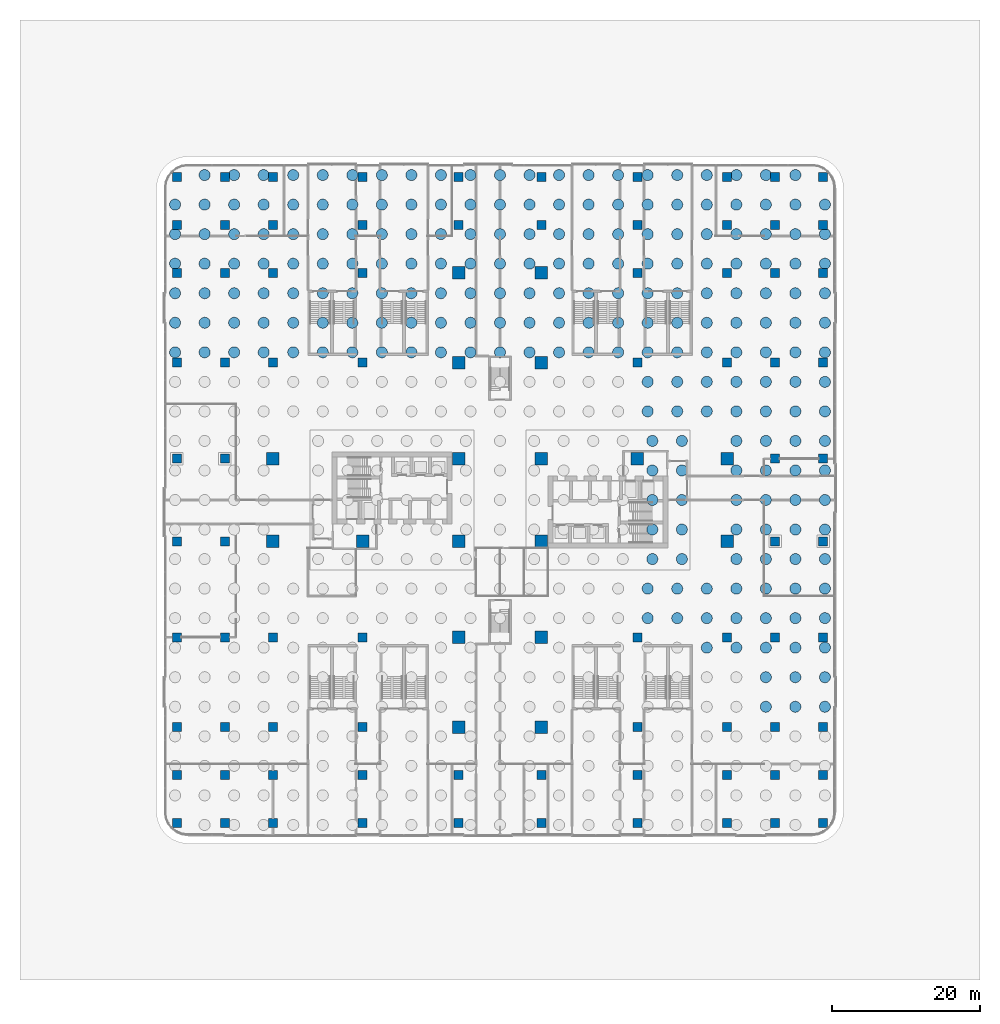
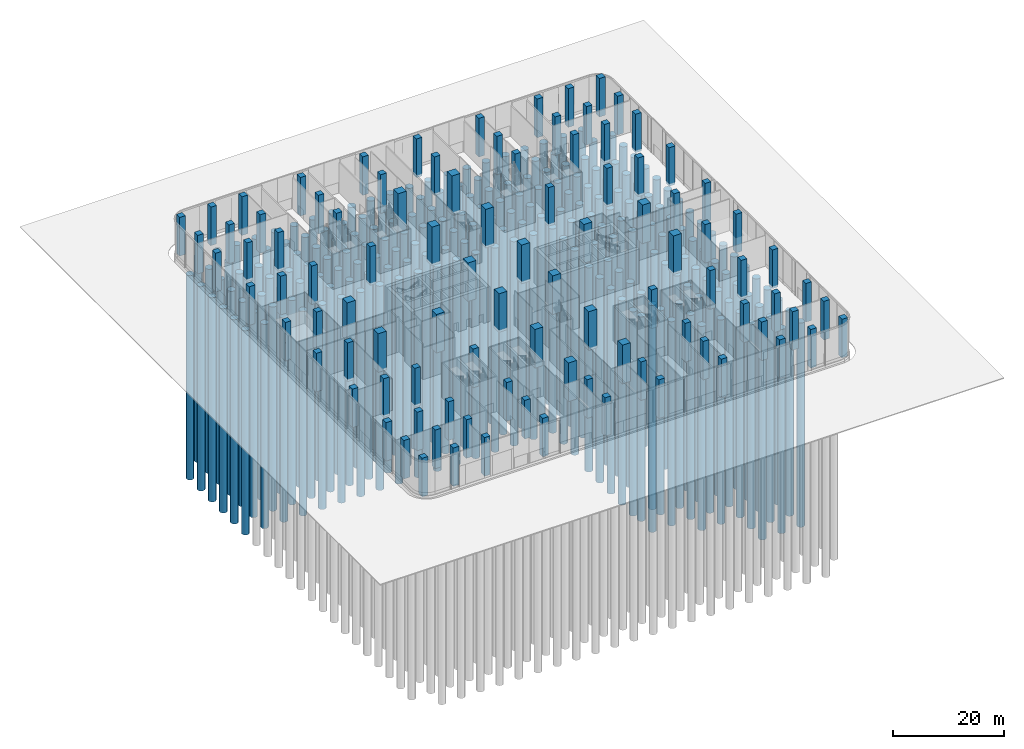
# One storey, part 2 of 27: 228 piles, 98 columns.
"""IFC4 building model written with IfcOpenShell, lengths in metres."""

from ifc_helpers import new_model, si_unit, direction, frame, origin, origin_2d, place, context, subcontext, project, spatial, rectangle, circle, extrude, source, transform, mapped, material, material_profile, profile_set, type_object, element, save


model = new_model("IFC4")

# Units and contexts
model_context = context("Model", 3, precision=1e-05, world=origin(), true_north=direction((0.0, 1.0)))
body_context = subcontext(model_context, "Body", "Model", "MODEL_VIEW")
ifc_project = project(units=[si_unit("LENGTHUNIT", "METRE"), si_unit("AREAUNIT", "SQUARE_METRE"), si_unit("VOLUMEUNIT", "CUBIC_METRE"), si_unit("PLANEANGLEUNIT", "RADIAN"), si_unit("MASSUNIT", "GRAM", prefix="KILO")], contexts=[model_context])

# Site, building, storey
site_placement = place(None, origin())
site = spatial("IfcSite", under=ifc_project, at=site_placement, CompositionType="ELEMENT")
building_placement = place(site_placement, origin())
building = spatial("IfcBuilding", under=site, at=building_placement, Name="Trellis Farm Tower", CompositionType="ELEMENT")
storey_placement = place(building_placement, origin())
storey = spatial("IfcBuildingStorey", under=building, at=storey_placement, Name="L00", CompositionType="ELEMENT", Elevation=0.0)

# Piles
ifc_material_1 = material(Name="Concrete C40/50", Category="concrete")
ifc_material_profile_1 = material_profile(ifc_material_1, circle(Radius=0.75, at=origin_2d()), Name="Bored pile 1500")
ifc_profile_set_1 = profile_set([ifc_material_profile_1], Name="Concrete C40/50")
pile_type = type_object("IfcPileType", Name="Bored pile 1500", PredefinedType="BORED", material=ifc_profile_set_1)
shared_shape_1 = source(origin(), body_context, "Body", "SweptSolid", [
    extrude(circle(Radius=0.75, at=origin_2d()), origin(), (0.0, 0.0, 1.0), 45.0),
])
for number, where, z_axis, x_axis, name in (
    (1, (20.625, -8.0, -4.0), (0.0, 0.0, -1.0), (1.0, 0.0, 0.0), "Bored pile"),
    (2, (20.625, -4.0, -4.0), (0.0, 0.0, -1.0), (1.0, 0.0, 0.0), "Bored pile"),
    (3, (20.625, 0.0, -4.0), (0.0, 0.0, -1.0), (1.0, 0.0, 0.0), "Bored pile"),
    (4, (20.625, 4.0, -4.0), (0.0, 0.0, -1.0), (1.0, 0.0, 0.0), "Bored pile"),
    (5, (20.625, 8.0, -4.0), (0.0, 0.0, -1.0), (1.0, 0.0, 0.0), "Bored pile"),
    (6, (24.625, -8.0, -4.0), (0.0, 0.0, -1.0), (1.0, 0.0, 0.0), "Bored pile"),
    (7, (24.625, -4.0, -4.0), (0.0, 0.0, -1.0), (1.0, 0.0, 0.0), "Bored pile"),
    (8, (24.625, 0.0, -4.0), (0.0, 0.0, -1.0), (1.0, 0.0, 0.0), "Bored pile"),
    (9, (24.625, 4.0, -4.0), (0.0, 0.0, -1.0), (1.0, 0.0, 0.0), "Bored pile"),
    (10, (24.625, 8.0, -4.0), (0.0, 0.0, -1.0), (1.0, 0.0, 0.0), "Bored pile"),
    (11, (-44.0, 20.0, -2.5), (0.0, 0.0, -1.0), (1.0, 0.0, 0.0), "Bored pile"),
    (12, (-44.0, 24.0, -2.5), (0.0, 0.0, -1.0), (1.0, 0.0, 0.0), "Bored pile"),
    (13, (-44.0, 28.0, -2.5), (0.0, 0.0, -1.0), (1.0, 0.0, 0.0), "Bored pile"),
    (14, (-44.0, 32.0, -2.5), (0.0, 0.0, -1.0), (1.0, 0.0, 0.0), "Bored pile"),
    (15, (-44.0, 36.0, -2.5), (0.0, 0.0, -1.0), (1.0, 0.0, 0.0), "Bored pile"),
    (16, (-44.0, 40.0, -2.5), (0.0, 0.0, -1.0), (1.0, 0.0, 0.0), "Bored pile"),
    (17, (-40.0, 20.0, -2.5), (0.0, 0.0, -1.0), (1.0, 0.0, 0.0), "Bored pile"),
    (18, (-40.0, 24.0, -2.5), (0.0, 0.0, -1.0), (1.0, 0.0, 0.0), "Bored pile"),
    (19, (-40.0, 28.0, -2.5), (0.0, 0.0, -1.0), (1.0, 0.0, 0.0), "Bored pile"),
    (20, (-40.0, 32.0, -2.5), (0.0, 0.0, -1.0), (1.0, 0.0, 0.0), "Bored pile"),
    (21, (-40.0, 36.0, -2.5), (0.0, 0.0, -1.0), (1.0, 0.0, 0.0), "Bored pile"),
    (22, (-40.0, 40.0, -2.5), (0.0, 0.0, -1.0), (1.0, 0.0, 0.0), "Bored pile"),
    (23, (-40.0, 44.0, -2.5), (0.0, 0.0, -1.0), (1.0, 0.0, 0.0), "Bored pile"),
    (24, (-36.0, 20.0, -2.5), (0.0, 0.0, -1.0), (1.0, 0.0, 0.0), "Bored pile"),
    (25, (-36.0, 24.0, -2.5), (0.0, 0.0, -1.0), (1.0, 0.0, 0.0), "Bored pile"),
    (26, (-36.0, 28.0, -2.5), (0.0, 0.0, -1.0), (1.0, 0.0, 0.0), "Bored pile"),
    (27, (-36.0, 32.0, -2.5), (0.0, 0.0, -1.0), (1.0, 0.0, 0.0), "Bored pile"),
    (28, (-36.0, 36.0, -2.5), (0.0, 0.0, -1.0), (1.0, 0.0, 0.0), "Bored pile"),
    (29, (-36.0, 40.0, -2.5), (0.0, 0.0, -1.0), (1.0, 0.0, 0.0), "Bored pile"),
    (30, (-36.0, 44.0, -2.5), (0.0, 0.0, -1.0), (1.0, 0.0, 0.0), "Bored pile"),
    (31, (-32.0, 20.0, -2.5), (0.0, 0.0, -1.0), (1.0, 0.0, 0.0), "Bored pile"),
    (32, (-32.0, 24.0, -2.5), (0.0, 0.0, -1.0), (1.0, 0.0, 0.0), "Bored pile"),
    (33, (-32.0, 28.0, -2.5), (0.0, 0.0, -1.0), (1.0, 0.0, 0.0), "Bored pile"),
    (34, (-32.0, 32.0, -2.5), (0.0, 0.0, -1.0), (1.0, 0.0, 0.0), "Bored pile"),
    (35, (-32.0, 36.0, -2.5), (0.0, 0.0, -1.0), (1.0, 0.0, 0.0), "Bored pile"),
    (36, (-32.0, 40.0, -2.5), (0.0, 0.0, -1.0), (1.0, 0.0, 0.0), "Bored pile"),
    (37, (-32.0, 44.0, -2.5), (0.0, 0.0, -1.0), (1.0, 0.0, 0.0), "Bored pile"),
    (38, (-28.0, 20.0, -2.5), (0.0, 0.0, -1.0), (1.0, 0.0, 0.0), "Bored pile"),
    (39, (-28.0, 24.0, -2.5), (0.0, 0.0, -1.0), (1.0, 0.0, 0.0), "Bored pile"),
    (40, (-28.0, 28.0, -2.5), (0.0, 0.0, -1.0), (1.0, 0.0, 0.0), "Bored pile"),
    (41, (-28.0, 32.0, -2.5), (0.0, 0.0, -1.0), (1.0, 0.0, 0.0), "Bored pile"),
    (42, (-28.0, 36.0, -2.5), (0.0, 0.0, -1.0), (1.0, 0.0, 0.0), "Bored pile"),
    (43, (-28.0, 40.0, -2.5), (0.0, 0.0, -1.0), (1.0, 0.0, 0.0), "Bored pile"),
    (44, (-28.0, 44.0, -2.5), (0.0, 0.0, -1.0), (1.0, 0.0, 0.0), "Bored pile"),
    (45, (-24.0, 20.0, -2.5), (0.0, 0.0, -1.0), (1.0, 0.0, 0.0), "Bored pile"),
    (46, (-24.0, 24.0, -2.5), (0.0, 0.0, -1.0), (1.0, 0.0, 0.0), "Bored pile"),
    (47, (-24.0, 28.0, -2.5), (0.0, 0.0, -1.0), (1.0, 0.0, 0.0), "Bored pile"),
    (48, (-24.0, 32.0, -2.5), (0.0, 0.0, -1.0), (1.0, 0.0, 0.0), "Bored pile"),
    (49, (-24.0, 36.0, -2.5), (0.0, 0.0, -1.0), (1.0, 0.0, 0.0), "Bored pile"),
    (50, (-24.0, 40.0, -2.5), (0.0, 0.0, -1.0), (1.0, 0.0, 0.0), "Bored pile"),
    (51, (-24.0, 44.0, -2.5), (0.0, 0.0, -1.0), (1.0, 0.0, 0.0), "Bored pile"),
    (52, (-20.0, 20.0, -2.5), (0.0, 0.0, -1.0), (1.0, 0.0, 0.0), "Bored pile"),
    (53, (-20.0, 24.0, -2.5), (0.0, 0.0, -1.0), (1.0, 0.0, 0.0), "Bored pile"),
    (54, (-20.0, 28.0, -2.5), (0.0, 0.0, -1.0), (1.0, 0.0, 0.0), "Bored pile"),
    (55, (-20.0, 32.0, -2.5), (0.0, 0.0, -1.0), (1.0, 0.0, 0.0), "Bored pile"),
    (56, (-20.0, 36.0, -2.5), (0.0, 0.0, -1.0), (1.0, 0.0, 0.0), "Bored pile"),
    (57, (-20.0, 40.0, -2.5), (0.0, 0.0, -1.0), (1.0, 0.0, 0.0), "Bored pile"),
    (58, (-20.0, 44.0, -2.5), (0.0, 0.0, -1.0), (1.0, 0.0, 0.0), "Bored pile"),
    (59, (-16.0, 20.0, -2.5), (0.0, 0.0, -1.0), (1.0, 0.0, 0.0), "Bored pile"),
    (60, (-16.0, 24.0, -2.5), (0.0, 0.0, -1.0), (1.0, 0.0, 0.0), "Bored pile"),
    (61, (-16.0, 28.0, -2.5), (0.0, 0.0, -1.0), (1.0, 0.0, 0.0), "Bored pile"),
    (62, (-16.0, 32.0, -2.5), (0.0, 0.0, -1.0), (1.0, 0.0, 0.0), "Bored pile"),
    (63, (-16.0, 36.0, -2.5), (0.0, 0.0, -1.0), (1.0, 0.0, 0.0), "Bored pile"),
    (64, (-16.0, 40.0, -2.5), (0.0, 0.0, -1.0), (1.0, 0.0, 0.0), "Bored pile"),
    (65, (-16.0, 44.0, -2.5), (0.0, 0.0, -1.0), (1.0, 0.0, 0.0), "Bored pile"),
    (66, (-12.0, 20.0, -2.5), (0.0, 0.0, -1.0), (1.0, 0.0, 0.0), "Bored pile"),
    (67, (-12.0, 24.0, -2.5), (0.0, 0.0, -1.0), (1.0, 0.0, 0.0), "Bored pile"),
    (68, (-12.0, 28.0, -2.5), (0.0, 0.0, -1.0), (1.0, 0.0, 0.0), "Bored pile"),
    (69, (-12.0, 32.0, -2.5), (0.0, 0.0, -1.0), (1.0, 0.0, 0.0), "Bored pile"),
    (70, (-12.0, 36.0, -2.5), (0.0, 0.0, -1.0), (1.0, 0.0, 0.0), "Bored pile"),
    (71, (-12.0, 40.0, -2.5), (0.0, 0.0, -1.0), (1.0, 0.0, 0.0), "Bored pile"),
    (72, (-12.0, 44.0, -2.5), (0.0, 0.0, -1.0), (1.0, 0.0, 0.0), "Bored pile"),
    (73, (-8.0, 20.0, -2.5), (0.0, 0.0, -1.0), (1.0, 0.0, 0.0), "Bored pile"),
    (74, (-8.0, 24.0, -2.5), (0.0, 0.0, -1.0), (1.0, 0.0, 0.0), "Bored pile"),
    (75, (-8.0, 28.0, -2.5), (0.0, 0.0, -1.0), (1.0, 0.0, 0.0), "Bored pile"),
    (76, (-8.0, 32.0, -2.5), (0.0, 0.0, -1.0), (1.0, 0.0, 0.0), "Bored pile"),
    (77, (-8.0, 36.0, -2.5), (0.0, 0.0, -1.0), (1.0, 0.0, 0.0), "Bored pile"),
    (78, (-8.0, 40.0, -2.5), (0.0, 0.0, -1.0), (1.0, 0.0, 0.0), "Bored pile"),
    (79, (-8.0, 44.0, -2.5), (0.0, 0.0, -1.0), (1.0, 0.0, 0.0), "Bored pile"),
    (80, (-4.0, 20.0, -2.5), (0.0, 0.0, -1.0), (1.0, 0.0, 0.0), "Bored pile"),
    (81, (-4.0, 24.0, -2.5), (0.0, 0.0, -1.0), (1.0, 0.0, 0.0), "Bored pile"),
    (82, (-4.0, 28.0, -2.5), (0.0, 0.0, -1.0), (1.0, 0.0, 0.0), "Bored pile"),
    (83, (-4.0, 32.0, -2.5), (0.0, 0.0, -1.0), (1.0, 0.0, 0.0), "Bored pile"),
    (84, (-4.0, 36.0, -2.5), (0.0, 0.0, -1.0), (1.0, 0.0, 0.0), "Bored pile"),
    (85, (-4.0, 40.0, -2.5), (0.0, 0.0, -1.0), (1.0, 0.0, 0.0), "Bored pile"),
    (86, (-4.0, 44.0, -2.5), (0.0, 0.0, -1.0), (1.0, 0.0, 0.0), "Bored pile"),
    (87, (0.0, 20.0, -2.5), (0.0, 0.0, -1.0), (1.0, 0.0, 0.0), "Bored pile"),
    (88, (0.0, 24.0, -2.5), (0.0, 0.0, -1.0), (1.0, 0.0, 0.0), "Bored pile"),
    (89, (0.0, 28.0, -2.5), (0.0, 0.0, -1.0), (1.0, 0.0, 0.0), "Bored pile"),
    (90, (0.0, 32.0, -2.5), (0.0, 0.0, -1.0), (1.0, 0.0, 0.0), "Bored pile"),
    (91, (0.0, 36.0, -2.5), (0.0, 0.0, -1.0), (1.0, 0.0, 0.0), "Bored pile"),
    (92, (0.0, 40.0, -2.5), (0.0, 0.0, -1.0), (1.0, 0.0, 0.0), "Bored pile"),
    (93, (0.0, 44.0, -2.5), (0.0, 0.0, -1.0), (1.0, 0.0, 0.0), "Bored pile"),
    (94, (4.0, 20.0, -2.5), (0.0, 0.0, -1.0), (1.0, 0.0, 0.0), "Bored pile"),
    (95, (4.0, 24.0, -2.5), (0.0, 0.0, -1.0), (1.0, 0.0, 0.0), "Bored pile"),
    (96, (4.0, 28.0, -2.5), (0.0, 0.0, -1.0), (1.0, 0.0, 0.0), "Bored pile"),
    (97, (4.0, 32.0, -2.5), (0.0, 0.0, -1.0), (1.0, 0.0, 0.0), "Bored pile"),
    (98, (4.0, 36.0, -2.5), (0.0, 0.0, -1.0), (1.0, 0.0, 0.0), "Bored pile"),
    (99, (4.0, 40.0, -2.5), (0.0, 0.0, -1.0), (1.0, 0.0, 0.0), "Bored pile"),
    (100, (4.0, 44.0, -2.5), (0.0, 0.0, -1.0), (1.0, 0.0, 0.0), "Bored pile"),
    (101, (8.0, 20.0, -2.5), (0.0, 0.0, -1.0), (1.0, 0.0, 0.0), "Bored pile"),
    (102, (8.0, 24.0, -2.5), (0.0, 0.0, -1.0), (1.0, 0.0, 0.0), "Bored pile"),
    (103, (8.0, 28.0, -2.5), (0.0, 0.0, -1.0), (1.0, 0.0, 0.0), "Bored pile"),
    (104, (8.0, 32.0, -2.5), (0.0, 0.0, -1.0), (1.0, 0.0, 0.0), "Bored pile"),
    (105, (8.0, 36.0, -2.5), (0.0, 0.0, -1.0), (1.0, 0.0, 0.0), "Bored pile"),
    (106, (8.0, 40.0, -2.5), (0.0, 0.0, -1.0), (1.0, 0.0, 0.0), "Bored pile"),
    (107, (8.0, 44.0, -2.5), (0.0, 0.0, -1.0), (1.0, 0.0, 0.0), "Bored pile"),
    (108, (12.0, 20.0, -2.5), (0.0, 0.0, -1.0), (1.0, 0.0, 0.0), "Bored pile"),
    (109, (12.0, 24.0, -2.5), (0.0, 0.0, -1.0), (1.0, 0.0, 0.0), "Bored pile"),
    (110, (12.0, 28.0, -2.5), (0.0, 0.0, -1.0), (1.0, 0.0, 0.0), "Bored pile"),
    (111, (12.0, 32.0, -2.5), (0.0, 0.0, -1.0), (1.0, 0.0, 0.0), "Bored pile"),
    (112, (12.0, 36.0, -2.5), (0.0, 0.0, -1.0), (1.0, 0.0, 0.0), "Bored pile"),
    (113, (12.0, 40.0, -2.5), (0.0, 0.0, -1.0), (1.0, 0.0, 0.0), "Bored pile"),
    (114, (12.0, 44.0, -2.5), (0.0, 0.0, -1.0), (1.0, 0.0, 0.0), "Bored pile"),
    (115, (16.0, 20.0, -2.5), (0.0, 0.0, -1.0), (1.0, 0.0, 0.0), "Bored pile"),
    (116, (16.0, 24.0, -2.5), (0.0, 0.0, -1.0), (1.0, 0.0, 0.0), "Bored pile"),
    (117, (16.0, 28.0, -2.5), (0.0, 0.0, -1.0), (1.0, 0.0, 0.0), "Bored pile"),
    (118, (16.0, 32.0, -2.5), (0.0, 0.0, -1.0), (1.0, 0.0, 0.0), "Bored pile"),
    (119, (16.0, 36.0, -2.5), (0.0, 0.0, -1.0), (1.0, 0.0, 0.0), "Bored pile"),
    (120, (16.0, 40.0, -2.5), (0.0, 0.0, -1.0), (1.0, 0.0, 0.0), "Bored pile"),
    (121, (16.0, 44.0, -2.5), (0.0, 0.0, -1.0), (1.0, 0.0, 0.0), "Bored pile"),
    (122, (20.0, -16.0, -2.5), (0.0, 0.0, -1.0), (1.0, 0.0, 0.0), "Bored pile"),
    (123, (20.0, -12.0, -2.5), (0.0, 0.0, -1.0), (1.0, 0.0, 0.0), "Bored pile"),
    (124, (20.0, 12.0, -2.5), (0.0, 0.0, -1.0), (1.0, 0.0, 0.0), "Bored pile"),
    (125, (20.0, 16.0, -2.5), (0.0, 0.0, -1.0), (1.0, 0.0, 0.0), "Bored pile"),
    (126, (20.0, 20.0, -2.5), (0.0, 0.0, -1.0), (1.0, 0.0, 0.0), "Bored pile"),
    (127, (20.0, 24.0, -2.5), (0.0, 0.0, -1.0), (1.0, 0.0, 0.0), "Bored pile"),
    (128, (20.0, 28.0, -2.5), (0.0, 0.0, -1.0), (1.0, 0.0, 0.0), "Bored pile"),
    (129, (20.0, 32.0, -2.5), (0.0, 0.0, -1.0), (1.0, 0.0, 0.0), "Bored pile"),
    (130, (20.0, 36.0, -2.5), (0.0, 0.0, -1.0), (1.0, 0.0, 0.0), "Bored pile"),
    (131, (20.0, 40.0, -2.5), (0.0, 0.0, -1.0), (1.0, 0.0, 0.0), "Bored pile"),
    (132, (20.0, 44.0, -2.5), (0.0, 0.0, -1.0), (1.0, 0.0, 0.0), "Bored pile"),
    (133, (24.0, -16.0, -2.5), (0.0, 0.0, -1.0), (1.0, 0.0, 0.0), "Bored pile"),
    (134, (24.0, -12.0, -2.5), (0.0, 0.0, -1.0), (1.0, 0.0, 0.0), "Bored pile"),
    (135, (24.0, 12.0, -2.5), (0.0, 0.0, -1.0), (1.0, 0.0, 0.0), "Bored pile"),
    (136, (24.0, 16.0, -2.5), (0.0, 0.0, -1.0), (1.0, 0.0, 0.0), "Bored pile"),
    (137, (24.0, 20.0, -2.5), (0.0, 0.0, -1.0), (1.0, 0.0, 0.0), "Bored pile"),
    (138, (24.0, 24.0, -2.5), (0.0, 0.0, -1.0), (1.0, 0.0, 0.0), "Bored pile"),
    (139, (24.0, 28.0, -2.5), (0.0, 0.0, -1.0), (1.0, 0.0, 0.0), "Bored pile"),
    (140, (24.0, 32.0, -2.5), (0.0, 0.0, -1.0), (1.0, 0.0, 0.0), "Bored pile"),
    (141, (24.0, 36.0, -2.5), (0.0, 0.0, -1.0), (1.0, 0.0, 0.0), "Bored pile"),
    (142, (24.0, 40.0, -2.5), (0.0, 0.0, -1.0), (1.0, 0.0, 0.0), "Bored pile"),
    (143, (24.0, 44.0, -2.5), (0.0, 0.0, -1.0), (1.0, 0.0, 0.0), "Bored pile"),
    (144, (28.0, -20.0, -2.5), (0.0, 0.0, -1.0), (1.0, 0.0, 0.0), "Bored pile"),
    (145, (28.0, -16.0, -2.5), (0.0, 0.0, -1.0), (1.0, 0.0, 0.0), "Bored pile"),
    (146, (28.0, -12.0, -2.5), (0.0, 0.0, -1.0), (1.0, 0.0, 0.0), "Bored pile"),
    (147, (28.0, 12.0, -2.5), (0.0, 0.0, -1.0), (1.0, 0.0, 0.0), "Bored pile"),
    (148, (28.0, 16.0, -2.5), (0.0, 0.0, -1.0), (1.0, 0.0, 0.0), "Bored pile"),
    (149, (28.0, 20.0, -2.5), (0.0, 0.0, -1.0), (1.0, 0.0, 0.0), "Bored pile"),
    (150, (28.0, 24.0, -2.5), (0.0, 0.0, -1.0), (1.0, 0.0, 0.0), "Bored pile"),
    (151, (28.0, 28.0, -2.5), (0.0, 0.0, -1.0), (1.0, 0.0, 0.0), "Bored pile"),
    (152, (28.0, 32.0, -2.5), (0.0, 0.0, -1.0), (1.0, 0.0, 0.0), "Bored pile"),
    (153, (28.0, 36.0, -2.5), (0.0, 0.0, -1.0), (1.0, 0.0, 0.0), "Bored pile"),
    (154, (28.0, 40.0, -2.5), (0.0, 0.0, -1.0), (1.0, 0.0, 0.0), "Bored pile"),
    (155, (28.0, 44.0, -2.5), (0.0, 0.0, -1.0), (1.0, 0.0, 0.0), "Bored pile"),
    (156, (32.0, -20.0, -2.5), (0.0, 0.0, -1.0), (1.0, 0.0, 0.0), "Bored pile"),
    (157, (32.0, -16.0, -2.5), (0.0, 0.0, -1.0), (1.0, 0.0, 0.0), "Bored pile"),
    (158, (32.0, -12.0, -2.5), (0.0, 0.0, -1.0), (1.0, 0.0, 0.0), "Bored pile"),
    (159, (32.0, -8.0, -2.5), (0.0, 0.0, -1.0), (1.0, 0.0, 0.0), "Bored pile"),
    (160, (32.0, -4.0, -2.5), (0.0, 0.0, -1.0), (1.0, 0.0, 0.0), "Bored pile"),
    (161, (32.0, 0.0, -2.5), (0.0, 0.0, -1.0), (1.0, 0.0, 0.0), "Bored pile"),
    (162, (32.0, 4.0, -2.5), (0.0, 0.0, -1.0), (1.0, 0.0, 0.0), "Bored pile"),
    (163, (32.0, 8.0, -2.5), (0.0, 0.0, -1.0), (1.0, 0.0, 0.0), "Bored pile"),
    (164, (32.0, 12.0, -2.5), (0.0, 0.0, -1.0), (1.0, 0.0, 0.0), "Bored pile"),
    (165, (32.0, 16.0, -2.5), (0.0, 0.0, -1.0), (1.0, 0.0, 0.0), "Bored pile"),
    (166, (32.0, 20.0, -2.5), (0.0, 0.0, -1.0), (1.0, 0.0, 0.0), "Bored pile"),
    (167, (32.0, 24.0, -2.5), (0.0, 0.0, -1.0), (1.0, 0.0, 0.0), "Bored pile"),
    (168, (32.0, 28.0, -2.5), (0.0, 0.0, -1.0), (1.0, 0.0, 0.0), "Bored pile"),
    (169, (32.0, 32.0, -2.5), (0.0, 0.0, -1.0), (1.0, 0.0, 0.0), "Bored pile"),
    (170, (32.0, 36.0, -2.5), (0.0, 0.0, -1.0), (1.0, 0.0, 0.0), "Bored pile"),
    (171, (32.0, 40.0, -2.5), (0.0, 0.0, -1.0), (1.0, 0.0, 0.0), "Bored pile"),
    (172, (32.0, 44.0, -2.5), (0.0, 0.0, -1.0), (1.0, 0.0, 0.0), "Bored pile"),
    (173, (36.0, -28.0, -2.5), (0.0, 0.0, -1.0), (1.0, 0.0, 0.0), "Bored pile"),
    (174, (36.0, -24.0, -2.5), (0.0, 0.0, -1.0), (1.0, 0.0, 0.0), "Bored pile"),
    (175, (36.0, -20.0, -2.5), (0.0, 0.0, -1.0), (1.0, 0.0, 0.0), "Bored pile"),
    (176, (36.0, -16.0, -2.5), (0.0, 0.0, -1.0), (1.0, 0.0, 0.0), "Bored pile"),
    (177, (36.0, -12.0, -2.5), (0.0, 0.0, -1.0), (1.0, 0.0, 0.0), "Bored pile"),
    (178, (36.0, -8.0, -2.5), (0.0, 0.0, -1.0), (1.0, 0.0, 0.0), "Bored pile"),
    (179, (36.0, -4.0, -2.5), (0.0, 0.0, -1.0), (1.0, 0.0, 0.0), "Bored pile"),
    (180, (36.0, 0.0, -2.5), (0.0, 0.0, -1.0), (1.0, 0.0, 0.0), "Bored pile"),
    (181, (36.0, 4.0, -2.5), (0.0, 0.0, -1.0), (1.0, 0.0, 0.0), "Bored pile"),
    (182, (36.0, 8.0, -2.5), (0.0, 0.0, -1.0), (1.0, 0.0, 0.0), "Bored pile"),
    (183, (36.0, 12.0, -2.5), (0.0, 0.0, -1.0), (1.0, 0.0, 0.0), "Bored pile"),
    (184, (36.0, 16.0, -2.5), (0.0, 0.0, -1.0), (1.0, 0.0, 0.0), "Bored pile"),
    (185, (36.0, 20.0, -2.5), (0.0, 0.0, -1.0), (1.0, 0.0, 0.0), "Bored pile"),
    (186, (36.0, 24.0, -2.5), (0.0, 0.0, -1.0), (1.0, 0.0, 0.0), "Bored pile"),
    (187, (36.0, 28.0, -2.5), (0.0, 0.0, -1.0), (1.0, 0.0, 0.0), "Bored pile"),
    (188, (36.0, 32.0, -2.5), (0.0, 0.0, -1.0), (1.0, 0.0, 0.0), "Bored pile"),
    (189, (36.0, 36.0, -2.5), (0.0, 0.0, -1.0), (1.0, 0.0, 0.0), "Bored pile"),
    (190, (36.0, 40.0, -2.5), (0.0, 0.0, -1.0), (1.0, 0.0, 0.0), "Bored pile"),
    (191, (36.0, 44.0, -2.5), (0.0, 0.0, -1.0), (1.0, 0.0, 0.0), "Bored pile"),
    (192, (40.0, -28.0, -2.5), (0.0, 0.0, -1.0), (1.0, 0.0, 0.0), "Bored pile"),
    (193, (40.0, -24.0, -2.5), (0.0, 0.0, -1.0), (1.0, 0.0, 0.0), "Bored pile"),
    (194, (40.0, -20.0, -2.5), (0.0, 0.0, -1.0), (1.0, 0.0, 0.0), "Bored pile"),
    (195, (40.0, -16.0, -2.5), (0.0, 0.0, -1.0), (1.0, 0.0, 0.0), "Bored pile"),
    (196, (40.0, -12.0, -2.5), (0.0, 0.0, -1.0), (1.0, 0.0, 0.0), "Bored pile"),
    (197, (40.0, -8.0, -2.5), (0.0, 0.0, -1.0), (1.0, 0.0, 0.0), "Bored pile"),
    (198, (40.0, -4.0, -2.5), (0.0, 0.0, -1.0), (1.0, 0.0, 0.0), "Bored pile"),
    (199, (40.0, 0.0, -2.5), (0.0, 0.0, -1.0), (1.0, 0.0, 0.0), "Bored pile"),
    (200, (40.0, 4.0, -2.5), (0.0, 0.0, -1.0), (1.0, 0.0, 0.0), "Bored pile"),
    (201, (40.0, 8.0, -2.5), (0.0, 0.0, -1.0), (1.0, 0.0, 0.0), "Bored pile"),
    (202, (40.0, 12.0, -2.5), (0.0, 0.0, -1.0), (1.0, 0.0, 0.0), "Bored pile"),
    (203, (40.0, 16.0, -2.5), (0.0, 0.0, -1.0), (1.0, 0.0, 0.0), "Bored pile"),
    (204, (40.0, 20.0, -2.5), (0.0, 0.0, -1.0), (1.0, 0.0, 0.0), "Bored pile"),
    (205, (40.0, 24.0, -2.5), (0.0, 0.0, -1.0), (1.0, 0.0, 0.0), "Bored pile"),
    (206, (40.0, 28.0, -2.5), (0.0, 0.0, -1.0), (1.0, 0.0, 0.0), "Bored pile"),
    (207, (40.0, 32.0, -2.5), (0.0, 0.0, -1.0), (1.0, 0.0, 0.0), "Bored pile"),
    (208, (40.0, 36.0, -2.5), (0.0, 0.0, -1.0), (1.0, 0.0, 0.0), "Bored pile"),
    (209, (40.0, 40.0, -2.5), (0.0, 0.0, -1.0), (1.0, 0.0, 0.0), "Bored pile"),
    (210, (40.0, 44.0, -2.5), (0.0, 0.0, -1.0), (1.0, 0.0, 0.0), "Bored pile"),
    (211, (44.0, -28.0, -2.5), (0.0, 0.0, -1.0), (1.0, 0.0, 0.0), "Bored pile"),
    (212, (44.0, -24.0, -2.5), (0.0, 0.0, -1.0), (1.0, 0.0, 0.0), "Bored pile"),
    (213, (44.0, -20.0, -2.5), (0.0, 0.0, -1.0), (1.0, 0.0, 0.0), "Bored pile"),
    (214, (44.0, -16.0, -2.5), (0.0, 0.0, -1.0), (1.0, 0.0, 0.0), "Bored pile"),
    (215, (44.0, -12.0, -2.5), (0.0, 0.0, -1.0), (1.0, 0.0, 0.0), "Bored pile"),
    (216, (44.0, -8.0, -2.5), (0.0, 0.0, -1.0), (1.0, 0.0, 0.0), "Bored pile"),
    (217, (44.0, -4.0, -2.5), (0.0, 0.0, -1.0), (1.0, 0.0, 0.0), "Bored pile"),
    (218, (44.0, 0.0, -2.5), (0.0, 0.0, -1.0), (1.0, 0.0, 0.0), "Bored pile"),
    (219, (44.0, 4.0, -2.5), (0.0, 0.0, -1.0), (1.0, 0.0, 0.0), "Bored pile"),
    (220, (44.0, 8.0, -2.5), (0.0, 0.0, -1.0), (1.0, 0.0, 0.0), "Bored pile"),
    (221, (44.0, 12.0, -2.5), (0.0, 0.0, -1.0), (1.0, 0.0, 0.0), "Bored pile"),
    (222, (44.0, 16.0, -2.5), (0.0, 0.0, -1.0), (1.0, 0.0, 0.0), "Bored pile"),
    (223, (44.0, 20.0, -2.5), (0.0, 0.0, -1.0), (1.0, 0.0, 0.0), "Bored pile"),
    (224, (44.0, 24.0, -2.5), (0.0, 0.0, -1.0), (1.0, 0.0, 0.0), "Bored pile"),
    (225, (44.0, 28.0, -2.5), (0.0, 0.0, -1.0), (1.0, 0.0, 0.0), "Bored pile"),
    (226, (44.0, 32.0, -2.5), (0.0, 0.0, -1.0), (1.0, 0.0, 0.0), "Bored pile"),
    (227, (44.0, 36.0, -2.5), (0.0, 0.0, -1.0), (1.0, 0.0, 0.0), "Bored pile"),
    (228, (44.0, 40.0, -2.5), (0.0, 0.0, -1.0), (1.0, 0.0, 0.0), "Bored pile"),
):
    element("IfcPile", number, at=place(storey_placement, frame(where, z_axis=z_axis, x_axis=x_axis)), inside=storey, type_object=pile_type, Name=name, PredefinedType="BORED", context=body_context, shape_type="MappedRepresentation", body=[
        mapped(shared_shape_1, transform((0.0, 0.0, 0.0))),
    ])

# Columns
ifc_material_2 = material(Name="Concrete C80/95", Category="concrete")
ifc_material_profile_2 = material_profile(ifc_material_2, rectangle(XDim=1.699951171875, YDim=1.699951171875, at=origin_2d()), Name="RC column 1700x1700 C80/95")
ifc_profile_set_2 = profile_set([ifc_material_profile_2], Name="Concrete C80/95")
column_type_1 = type_object("IfcColumnType", Name="RC column 1700x1700 C80/95", PredefinedType="COLUMN", material=ifc_profile_set_2)
shared_shape_2 = source(origin(), body_context, "Body", "SweptSolid", [
    extrude(rectangle(XDim=1.699951171875, YDim=1.699951171875, at=origin_2d()), origin(), (0.0, 0.0, 1.0), 8.5),
])
for number, where, z_axis, x_axis, name in (
    (229, (5.60009765625, 5.60009765625, -0.5), (0.0, 0.0, 1.0), (1.0, 0.0, 0.0), "Column"),
    (230, (5.60009765625, 18.60009765625, -0.5), (0.0, 0.0, 1.0), (1.0, 0.0, 0.0), "Column"),
    (231, (5.60009765625, 30.75, -0.5), (0.0, 0.0, 1.0), (1.0, 0.0, 0.0), "Column"),
    (232, (5.60009765625, -5.60009765625, -0.5), (0.0, 0.0, 1.0), (1.0, 0.0, 0.0), "Column"),
    (233, (5.60009765625, -18.60009765625, -0.5), (0.0, 0.0, 1.0), (1.0, 0.0, 0.0), "Column"),
    (234, (5.60009765625, -30.75, -0.5), (0.0, 0.0, 1.0), (1.0, 0.0, 0.0), "Column"),
    (235, (18.60009765625, 5.60009765625, -0.5), (0.0, 0.0, 1.0), (1.0, 0.0, 0.0), "Column"),
    (236, (30.75, 5.60009765625, -0.5), (0.0, 0.0, 1.0), (1.0, 0.0, 0.0), "Column"),
    (237, (30.75, -5.60009765625, -0.5), (0.0, 0.0, 1.0), (1.0, 0.0, 0.0), "Column"),
    (238, (-5.60009765625, 5.60009765625, -0.5), (0.0, 0.0, 1.0), (1.0, 0.0, 0.0), "Column"),
    (239, (-5.60009765625, 18.60009765625, -0.5), (0.0, 0.0, 1.0), (1.0, 0.0, 0.0), "Column"),
    (240, (-5.60009765625, 30.75, -0.5), (0.0, 0.0, 1.0), (1.0, 0.0, 0.0), "Column"),
    (241, (-5.60009765625, -5.60009765625, -0.5), (0.0, 0.0, 1.0), (1.0, 0.0, 0.0), "Column"),
    (242, (-5.60009765625, -18.60009765625, -0.5), (0.0, 0.0, 1.0), (1.0, 0.0, 0.0), "Column"),
    (243, (-5.60009765625, -30.75, -0.5), (0.0, 0.0, 1.0), (1.0, 0.0, 0.0), "Column"),
    (244, (-18.60009765625, -5.60009765625, -0.5), (0.0, 0.0, 1.0), (1.0, 0.0, 0.0), "Column"),
    (245, (-30.75, 5.60009765625, -0.5), (0.0, 0.0, 1.0), (1.0, 0.0, 0.0), "Column"),
    (246, (-30.75, -5.60009765625, -0.5), (0.0, 0.0, 1.0), (1.0, 0.0, 0.0), "Column"),
):
    element("IfcColumn", number, at=place(storey_placement, frame(where, z_axis=z_axis, x_axis=x_axis)), inside=storey, type_object=column_type_1, Name=name, PredefinedType="COLUMN", context=body_context, shape_type="MappedRepresentation", body=[
        mapped(shared_shape_2, transform((0.0, 0.0, 0.0))),
    ])
ifc_material_3 = material(Name="Concrete C70/85", Category="concrete")
ifc_material_profile_3 = material_profile(ifc_material_3, rectangle(XDim=1.199951171875, YDim=1.199951171875, at=origin_2d()), Name="RC column 1200x1200 C70/85")
ifc_profile_set_3 = profile_set([ifc_material_profile_3], Name="Concrete C70/85")
column_type_2 = type_object("IfcColumnType", Name="RC column 1200x1200 C70/85", PredefinedType="COLUMN", material=ifc_profile_set_3)
shared_shape_3 = source(origin(), body_context, "Body", "SweptSolid", [
    extrude(rectangle(XDim=1.199951171875, YDim=1.199951171875, at=origin_2d()), origin(), (0.0, 0.0, 1.0), 8.5),
])
for number, where, z_axis, x_axis, name in (
    (247, (5.60009765625, 37.25, -0.5), (0.0, 0.0, 1.0), (1.0, 0.0, 0.0), "Column"),
    (248, (5.60009765625, 43.75, -0.5), (0.0, 0.0, 1.0), (1.0, 0.0, 0.0), "Column"),
    (249, (5.60009765625, -37.25, -0.5), (0.0, 0.0, 1.0), (1.0, 0.0, 0.0), "Column"),
    (250, (5.60009765625, -43.75, -0.5), (0.0, 0.0, 1.0), (1.0, 0.0, 0.0), "Column"),
    (251, (18.60009765625, 18.60009765625, -0.5), (0.0, 0.0, 1.0), (1.0, 0.0, 0.0), "Column"),
    (252, (18.60009765625, 30.75, -0.5), (0.0, 0.0, 1.0), (1.0, 0.0, 0.0), "Column"),
    (253, (18.60009765625, 37.25, -0.5), (0.0, 0.0, 1.0), (1.0, 0.0, 0.0), "Column"),
    (254, (18.60009765625, 43.75, -0.5), (0.0, 0.0, 1.0), (1.0, 0.0, 0.0), "Column"),
    (255, (18.60009765625, -18.60009765625, -0.5), (0.0, 0.0, 1.0), (1.0, 0.0, 0.0), "Column"),
    (256, (18.60009765625, -30.75, -0.5), (0.0, 0.0, 1.0), (1.0, 0.0, 0.0), "Column"),
    (257, (18.60009765625, -37.25, -0.5), (0.0, 0.0, 1.0), (1.0, 0.0, 0.0), "Column"),
    (258, (18.60009765625, -43.75, -0.5), (0.0, 0.0, 1.0), (1.0, 0.0, 0.0), "Column"),
    (259, (30.75, 18.60009765625, -0.5), (0.0, 0.0, 1.0), (1.0, 0.0, 0.0), "Column"),
    (260, (30.75, 30.75, -0.5), (0.0, 0.0, 1.0), (1.0, 0.0, 0.0), "Column"),
    (261, (30.75, 37.25, -0.5), (0.0, 0.0, 1.0), (1.0, 0.0, 0.0), "Column"),
    (262, (30.75, 43.75, -0.5), (0.0, 0.0, 1.0), (1.0, 0.0, 0.0), "Column"),
    (263, (30.75, -18.60009765625, -0.5), (0.0, 0.0, 1.0), (1.0, 0.0, 0.0), "Column"),
    (264, (30.75, -30.75, -0.5), (0.0, 0.0, 1.0), (1.0, 0.0, 0.0), "Column"),
    (265, (30.75, -37.25, -0.5), (0.0, 0.0, 1.0), (1.0, 0.0, 0.0), "Column"),
    (266, (30.75, -43.75, -0.5), (0.0, 0.0, 1.0), (1.0, 0.0, 0.0), "Column"),
    (267, (37.25, 5.60009765625, -0.5), (0.0, 0.0, 1.0), (1.0, 0.0, 0.0), "Column"),
    (268, (37.25, 18.60009765625, -0.5), (0.0, 0.0, 1.0), (1.0, 0.0, 0.0), "Column"),
    (269, (37.25, 30.75, -0.5), (0.0, 0.0, 1.0), (1.0, 0.0, 0.0), "Column"),
    (270, (37.25, 37.25, -0.5), (0.0, 0.0, 1.0), (1.0, 0.0, 0.0), "Column"),
    (271, (37.25, 43.75, -0.5), (0.0, 0.0, 1.0), (1.0, 0.0, 0.0), "Column"),
    (272, (37.25, -5.60009765625, -0.5), (0.0, 0.0, 1.0), (1.0, 0.0, 0.0), "Column"),
    (273, (37.25, -18.60009765625, -0.5), (0.0, 0.0, 1.0), (1.0, 0.0, 0.0), "Column"),
    (274, (37.25, -30.75, -0.5), (0.0, 0.0, 1.0), (1.0, 0.0, 0.0), "Column"),
    (275, (37.25, -37.25, -0.5), (0.0, 0.0, 1.0), (1.0, 0.0, 0.0), "Column"),
    (276, (37.25, -43.75, -0.5), (0.0, 0.0, 1.0), (1.0, 0.0, 0.0), "Column"),
    (277, (43.75, 5.60009765625, -0.5), (0.0, 0.0, 1.0), (1.0, 0.0, 0.0), "Column"),
    (278, (43.75, 18.60009765625, -0.5), (0.0, 0.0, 1.0), (1.0, 0.0, 0.0), "Column"),
    (279, (43.75, 30.75, -0.5), (0.0, 0.0, 1.0), (1.0, 0.0, 0.0), "Column"),
    (280, (43.75, 37.25, -0.5), (0.0, 0.0, 1.0), (1.0, 0.0, 0.0), "Column"),
    (281, (43.75, 43.75, -0.5), (0.0, 0.0, 1.0), (1.0, 0.0, 0.0), "Column"),
    (282, (43.75, -5.60009765625, -0.5), (0.0, 0.0, 1.0), (1.0, 0.0, 0.0), "Column"),
    (283, (43.75, -18.60009765625, -0.5), (0.0, 0.0, 1.0), (1.0, 0.0, 0.0), "Column"),
    (284, (43.75, -30.75, -0.5), (0.0, 0.0, 1.0), (1.0, 0.0, 0.0), "Column"),
    (285, (43.75, -37.25, -0.5), (0.0, 0.0, 1.0), (1.0, 0.0, 0.0), "Column"),
    (286, (43.75, -43.75, -0.5), (0.0, 0.0, 1.0), (1.0, 0.0, 0.0), "Column"),
    (287, (-5.60009765625, 37.25, -0.5), (0.0, 0.0, 1.0), (1.0, 0.0, 0.0), "Column"),
    (288, (-5.60009765625, 43.75, -0.5), (0.0, 0.0, 1.0), (1.0, 0.0, 0.0), "Column"),
    (289, (-5.60009765625, -37.25, -0.5), (0.0, 0.0, 1.0), (1.0, 0.0, 0.0), "Column"),
    (290, (-5.60009765625, -43.75, -0.5), (0.0, 0.0, 1.0), (1.0, 0.0, 0.0), "Column"),
    (291, (-18.60009765625, 18.60009765625, -0.5), (0.0, 0.0, 1.0), (1.0, 0.0, 0.0), "Column"),
    (292, (-18.60009765625, 30.75, -0.5), (0.0, 0.0, 1.0), (1.0, 0.0, 0.0), "Column"),
    (293, (-18.60009765625, 37.25, -0.5), (0.0, 0.0, 1.0), (1.0, 0.0, 0.0), "Column"),
    (294, (-18.60009765625, 43.75, -0.5), (0.0, 0.0, 1.0), (1.0, 0.0, 0.0), "Column"),
    (295, (-18.60009765625, -18.60009765625, -0.5), (0.0, 0.0, 1.0), (1.0, 0.0, 0.0), "Column"),
    (296, (-18.60009765625, -30.75, -0.5), (0.0, 0.0, 1.0), (1.0, 0.0, 0.0), "Column"),
    (297, (-18.60009765625, -37.25, -0.5), (0.0, 0.0, 1.0), (1.0, 0.0, 0.0), "Column"),
    (298, (-18.60009765625, -43.75, -0.5), (0.0, 0.0, 1.0), (1.0, 0.0, 0.0), "Column"),
    (299, (-30.75, 18.60009765625, -0.5), (0.0, 0.0, 1.0), (1.0, 0.0, 0.0), "Column"),
    (300, (-30.75, 30.75, -0.5), (0.0, 0.0, 1.0), (1.0, 0.0, 0.0), "Column"),
    (301, (-30.75, 37.25, -0.5), (0.0, 0.0, 1.0), (1.0, 0.0, 0.0), "Column"),
    (302, (-30.75, 43.75, -0.5), (0.0, 0.0, 1.0), (1.0, 0.0, 0.0), "Column"),
    (303, (-30.75, -18.60009765625, -0.5), (0.0, 0.0, 1.0), (1.0, 0.0, 0.0), "Column"),
    (304, (-30.75, -30.75, -0.5), (0.0, 0.0, 1.0), (1.0, 0.0, 0.0), "Column"),
    (305, (-30.75, -37.25, -0.5), (0.0, 0.0, 1.0), (1.0, 0.0, 0.0), "Column"),
    (306, (-30.75, -43.75, -0.5), (0.0, 0.0, 1.0), (1.0, 0.0, 0.0), "Column"),
    (307, (-37.25, 5.60009765625, -0.5), (0.0, 0.0, 1.0), (1.0, 0.0, 0.0), "Column"),
    (308, (-37.25, 18.60009765625, -0.5), (0.0, 0.0, 1.0), (1.0, 0.0, 0.0), "Column"),
    (309, (-37.25, 30.75, -0.5), (0.0, 0.0, 1.0), (1.0, 0.0, 0.0), "Column"),
    (310, (-37.25, 37.25, -0.5), (0.0, 0.0, 1.0), (1.0, 0.0, 0.0), "Column"),
    (311, (-37.25, 43.75, -0.5), (0.0, 0.0, 1.0), (1.0, 0.0, 0.0), "Column"),
    (312, (-37.25, -5.60009765625, -0.5), (0.0, 0.0, 1.0), (1.0, 0.0, 0.0), "Column"),
    (313, (-37.25, -18.60009765625, -0.5), (0.0, 0.0, 1.0), (1.0, 0.0, 0.0), "Column"),
    (314, (-37.25, -30.75, -0.5), (0.0, 0.0, 1.0), (1.0, 0.0, 0.0), "Column"),
    (315, (-37.25, -37.25, -0.5), (0.0, 0.0, 1.0), (1.0, 0.0, 0.0), "Column"),
    (316, (-37.25, -43.75, -0.5), (0.0, 0.0, 1.0), (1.0, 0.0, 0.0), "Column"),
    (317, (-43.75, 5.60009765625, -0.5), (0.0, 0.0, 1.0), (1.0, 0.0, 0.0), "Column"),
    (318, (-43.75, 18.60009765625, -0.5), (0.0, 0.0, 1.0), (1.0, 0.0, 0.0), "Column"),
    (319, (-43.75, 30.75, -0.5), (0.0, 0.0, 1.0), (1.0, 0.0, 0.0), "Column"),
    (320, (-43.75, 37.25, -0.5), (0.0, 0.0, 1.0), (1.0, 0.0, 0.0), "Column"),
    (321, (-43.75, 43.75, -0.5), (0.0, 0.0, 1.0), (1.0, 0.0, 0.0), "Column"),
    (322, (-43.75, -5.60009765625, -0.5), (0.0, 0.0, 1.0), (1.0, 0.0, 0.0), "Column"),
    (323, (-43.75, -18.60009765625, -0.5), (0.0, 0.0, 1.0), (1.0, 0.0, 0.0), "Column"),
    (324, (-43.75, -30.75, -0.5), (0.0, 0.0, 1.0), (1.0, 0.0, 0.0), "Column"),
    (325, (-43.75, -37.25, -0.5), (0.0, 0.0, 1.0), (1.0, 0.0, 0.0), "Column"),
    (326, (-43.75, -43.75, -0.5), (0.0, 0.0, 1.0), (1.0, 0.0, 0.0), "Column"),
):
    element("IfcColumn", number, at=place(storey_placement, frame(where, z_axis=z_axis, x_axis=x_axis)), inside=storey, type_object=column_type_2, Name=name, PredefinedType="COLUMN", context=body_context, shape_type="MappedRepresentation", body=[
        mapped(shared_shape_3, transform((0.0, 0.0, 0.0))),
    ])

save(model, "model.ifc")
